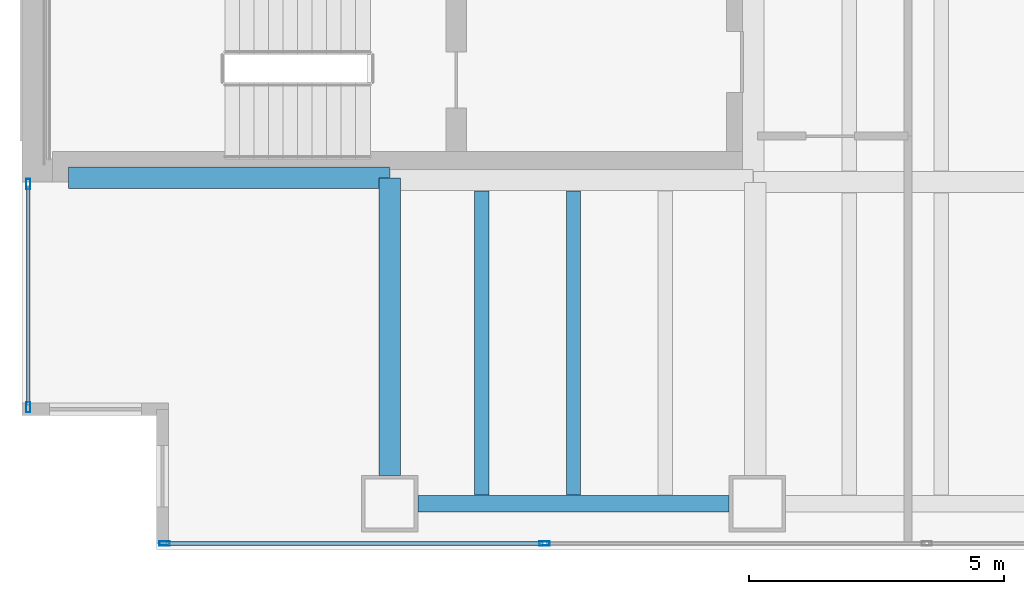
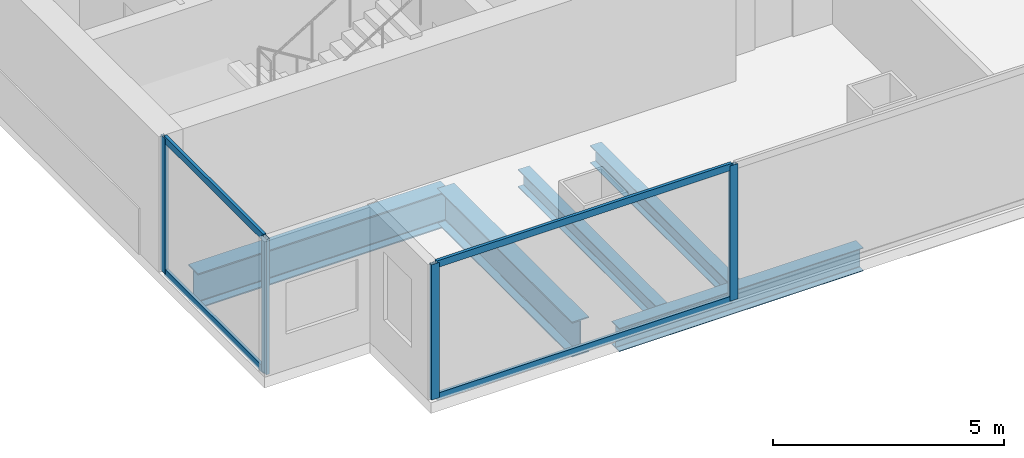
# One storey, part 2 of 25: 8 members, 5 beams, 2 elements without a shape of their own.
"""IFC4 building model written with IfcOpenShell, lengths in metres."""

from ifc_helpers import new_model, si_unit, direction, frame, origin, origin_2d, place, context, subcontext, project, spatial, hollow_rectangle, i_section, extrude, material, material_profile, profile_set, type_object, element, aggregate, save


model = new_model("IFC4")

# Units and contexts
model_context = context("Model", 3, precision=1e-05, world=origin(), true_north=direction((0.0, 1.0)))
body_context = subcontext(model_context, "Body", "Model", "MODEL_VIEW")
ifc_project = project(units=[si_unit("LENGTHUNIT", "METRE"), si_unit("AREAUNIT", "SQUARE_METRE"), si_unit("VOLUMEUNIT", "CUBIC_METRE"), si_unit("PLANEANGLEUNIT", "RADIAN"), si_unit("MASSUNIT", "GRAM", prefix="KILO")], contexts=[model_context])

# Site, building, storey
site_placement = place(None, origin())
site = spatial("IfcSite", under=ifc_project, at=site_placement, CompositionType="ELEMENT")
building_placement = place(site_placement, origin())
building = spatial("IfcBuilding", under=site, at=building_placement, Name="Cobrela Telecom Tower", CompositionType="ELEMENT")
storey_placement = place(building_placement, frame((0.0, 0.0, 42.699951171875)))
storey = spatial("IfcBuildingStorey", under=building, at=storey_placement, Name="L10", CompositionType="ELEMENT", Elevation=42.699951171875)

# Beams
ifc_material_1 = material(Name="Steel ASTM A992 Grade 50", Category="steel")
ifc_material_profile_1 = material_profile(ifc_material_1, i_section(OverallWidth=0.4189453125, OverallDepth=0.927001953125, WebThickness=0.019287109375, FlangeThickness=0.031982421875, FilletRadius=0.02392578125, at=origin_2d()), Name="W36X231")
ifc_profile_set_1 = profile_set([ifc_material_profile_1], Name="Steel ASTM A992 Grade 50")
beam_type_1 = type_object("IfcBeamType", Name="BM-GIRD-02", PredefinedType="USERDEFINED", material=ifc_profile_set_1)
beam_1_placement = place(storey_placement, frame((0.905029296875, 7.280029296875, -0.743408203125), z_axis=(1.0, 0.0, 0.0), x_axis=(0.0, 1.0, 0.0)))
element("IfcBeam", 1, at=beam_1_placement, inside=storey, type_object=beam_type_1, Name="L10 Primary Girder X06", ObjectType="GIRDER", PredefinedType="USERDEFINED", context=body_context, shape_type="SweptSolid", body=[
    extrude(i_section(OverallWidth=0.4189453125, OverallDepth=0.927001953125, WebThickness=0.019287109375, FlangeThickness=0.031982421875, FilletRadius=0.02392578125, at=origin_2d()), origin(), (0.0, 0.0, 1.0), 6.2900390625),
])
beam_2_placement = place(storey_placement, frame((7.199951171875, 1.455078125, -0.743408203125), z_axis=(0.0, 1.0, 0.0), x_axis=(-1.0, 0.0, 0.0)))
element("IfcBeam", 2, at=beam_2_placement, inside=storey, type_object=beam_type_1, Name="L10 Primary Girder Y32", ObjectType="GIRDER", PredefinedType="USERDEFINED", context=body_context, shape_type="SweptSolid", body=[
    extrude(i_section(OverallWidth=0.4189453125, OverallDepth=0.927001953125, WebThickness=0.019287109375, FlangeThickness=0.031982421875, FilletRadius=0.02392578125, at=origin_2d()), origin(), (0.0, 0.0, 1.0), 5.81982421875),
])
ifc_material_profile_2 = material_profile(ifc_material_1, i_section(OverallWidth=0.281982421875, OverallDepth=0.467041015625, WebThickness=0.01220703125, FlangeThickness=0.01953125, FilletRadius=0.012939453125, at=origin_2d()), Name="W18X86")
ifc_profile_set_2 = profile_set([ifc_material_profile_2], Name="Steel ASTM A992 Grade 50")
beam_type_2 = type_object("IfcBeamType", Name="BM-JOIST-02", PredefinedType="JOIST", material=ifc_profile_set_2)
for number, where, z_axis, x_axis, name in (
    (3, (9.0, 1.0673828125, -0.513427734375), (0.0, 1.0, 0.0), (-1.0, 0.0, 0.0), "L10 Secondary Composite Floor Beam J01"),
    (4, (10.800048828125, 1.0673828125, -0.513427734375), (0.0, 1.0, 0.0), (-1.0, 0.0, 0.0), "L10 Secondary Composite Floor Beam J03"),
):
    element("IfcBeam", number, at=place(storey_placement, frame(where, z_axis=z_axis, x_axis=x_axis)), inside=storey, type_object=beam_type_2, Name=name, PredefinedType="JOIST", context=body_context, shape_type="SweptSolid", body=[
        extrude(i_section(OverallWidth=0.281982421875, OverallDepth=0.467041015625, WebThickness=0.01220703125, FlangeThickness=0.01953125, FilletRadius=0.012939453125, at=origin_2d()), origin(), (0.0, 0.0, 1.0), 5.9580078125),
    ])
ifc_material_profile_3 = material_profile(ifc_material_1, i_section(OverallWidth=0.324951171875, OverallDepth=0.612060546875, WebThickness=0.0126953125, FlangeThickness=0.01904296875, FilletRadius=0.014892578125, at=origin_2d()), Name="W24X104")
ifc_profile_set_3 = profile_set([ifc_material_profile_3], Name="Steel ASTM A992 Grade 50")
beam_type_3 = type_object("IfcBeamType", Name="BM-SPAND-02", PredefinedType="SPANDREL", material=ifc_profile_set_3)
beam_3_placement = place(storey_placement, frame((7.7548828125, 0.89990234375, -0.5859375), z_axis=(1.0, 0.0, 0.0), x_axis=(0.0, 1.0, 0.0)))
element("IfcBeam", 5, at=beam_3_placement, inside=storey, type_object=beam_type_3, Name="L10 Perimeter Spandrel X01", PredefinedType="SPANDREL", context=body_context, shape_type="SweptSolid", body=[
    extrude(i_section(OverallWidth=0.324951171875, OverallDepth=0.612060546875, WebThickness=0.0126953125, FlangeThickness=0.01904296875, FilletRadius=0.014892578125, at=origin_2d()), origin(), (0.0, 0.0, 1.0), 6.090087890625),
])

# Curtain wall, members
ifc_material_2 = material(Name="Anodized Bronze Aluminium 6063-T6", Category="aluminium")
curtain_wall_type = type_object("IfcCurtainWallType", Name="CW-SYS-DATA", PredefinedType="USERDEFINED", material=ifc_material_2)
curtain_wall_1_placement = place(storey_placement, origin())
curtain_wall_1 = element("IfcCurtainWall", 6, at=curtain_wall_1_placement, inside=storey, type_object=curtain_wall_type, Name="L10 Unitised Bronze Curtain Wall 03", ObjectType="UNITISED CURTAIN WALL", PredefinedType="USERDEFINED")
ifc_material_profile_4 = material_profile(ifc_material_2, hollow_rectangle(XDim=0.080078125, YDim=0.199951171875, WallThickness=0.00390625, at=origin_2d()), Name="ALU 80x200x4")
ifc_profile_set_4 = profile_set([ifc_material_profile_4], Name="Anodized Bronze Aluminium 6063-T6")
member_type_1 = type_object("IfcMemberType", Name="CW-SYS-DATA-MUL", PredefinedType="MULLION", material=ifc_profile_set_4)
member_1_placement = place(storey_placement, frame((0.1201171875, 2.7900390625, 0.0), z_axis=(0.0, 0.0, 1.0), x_axis=(-1.0, 0.0, 0.0)))
member_1 = element("IfcMember", 7, at=member_1_placement, type_object=member_type_1, Name="CW-DATA mullion 1", PredefinedType="MULLION", context=body_context, shape_type="SweptSolid", body=[
    extrude(hollow_rectangle(XDim=0.080078125, YDim=0.199951171875, WallThickness=0.00390625, at=origin_2d()), origin(), (0.0, 0.0, 1.0), 3.570068359375),
])
member_2_placement = place(storey_placement, frame((0.1201171875, 7.159912109375, 0.0), z_axis=(0.0, 0.0, 1.0), x_axis=(-1.0, 0.0, 0.0)))
member_2 = element("IfcMember", 8, at=member_2_placement, type_object=member_type_1, Name="CW-DATA mullion 2", PredefinedType="MULLION", context=body_context, shape_type="SweptSolid", body=[
    extrude(hollow_rectangle(XDim=0.080078125, YDim=0.199951171875, WallThickness=0.00390625, at=origin_2d()), origin(), (0.0, 0.0, 1.0), 3.570068359375),
])

curtain_wall_2_placement = place(storey_placement, origin())
curtain_wall_2 = element("IfcCurtainWall", 9, at=curtain_wall_2_placement, inside=storey, type_object=curtain_wall_type, Name="L10 Unitised Bronze Curtain Wall 17", ObjectType="UNITISED CURTAIN WALL", PredefinedType="USERDEFINED")
member_3_placement = place(storey_placement, frame((10.2333984375, 0.1201171875, 0.0), z_axis=(0.0, 0.0, 1.0), x_axis=(0.0, -1.0, 0.0)))
member_3 = element("IfcMember", 10, at=member_3_placement, type_object=member_type_1, Name="CW-DATA mullion 6", PredefinedType="MULLION", context=body_context, shape_type="SweptSolid", body=[
    extrude(hollow_rectangle(XDim=0.080078125, YDim=0.199951171875, WallThickness=0.00390625, at=origin_2d()), origin(), (0.0, 0.0, 1.0), 3.570068359375),
])
member_4_placement = place(storey_placement, frame((2.7900390625, 0.1201171875, 0.0), z_axis=(0.0, 0.0, 1.0), x_axis=(0.0, -1.0, 0.0)))
member_4 = element("IfcMember", 11, at=member_4_placement, type_object=member_type_1, Name="CW-DATA mullion 7", PredefinedType="MULLION", context=body_context, shape_type="SweptSolid", body=[
    extrude(hollow_rectangle(XDim=0.080078125, YDim=0.199951171875, WallThickness=0.00390625, at=origin_2d()), origin(), (0.0, 0.0, 1.0), 3.570068359375),
])

# Member
ifc_material_profile_5 = material_profile(ifc_material_2, hollow_rectangle(XDim=0.074951171875, YDim=0.179931640625, WallThickness=0.00390625, at=origin_2d()), Name="ALU 75x180x4")
ifc_profile_set_5 = profile_set([ifc_material_profile_5], Name="Anodized Bronze Aluminium 6063-T6")
member_type_2 = type_object("IfcMemberType", Name="CW-SYS-DATA-TRN", PredefinedType="USERDEFINED", material=ifc_profile_set_5)
member_5_placement = place(storey_placement, frame((0.1201171875, 2.830078125, 0.03759765625), z_axis=(0.0, 1.0, 0.0), x_axis=(-1.0, 0.0, 0.0)))
member_5 = element("IfcMember", 12, at=member_5_placement, type_object=member_type_2, Name="CW-DATA transom 1.1", ObjectType="TRANSOM", PredefinedType="USERDEFINED", context=body_context, shape_type="SweptSolid", body=[
    extrude(hollow_rectangle(XDim=0.074951171875, YDim=0.179931640625, WallThickness=0.00390625, at=origin_2d()), origin(), (0.0, 0.0, 1.0), 4.2900390625),
])

member_6_placement = place(storey_placement, frame((0.1201171875, 2.830078125, 3.532470703125), z_axis=(0.0, 1.0, 0.0), x_axis=(-1.0, 0.0, 0.0)))
member_6 = element("IfcMember", 13, at=member_6_placement, type_object=member_type_2, Name="CW-DATA transom 1.2", ObjectType="TRANSOM", PredefinedType="USERDEFINED", context=body_context, shape_type="SweptSolid", body=[
    extrude(hollow_rectangle(XDim=0.074951171875, YDim=0.179931640625, WallThickness=0.00390625, at=origin_2d()), origin(), (0.0, 0.0, 1.0), 4.2900390625),
])

aggregate(curtain_wall_1, [member_1, member_2, member_5, member_6])

member_7_placement = place(storey_placement, frame((10.193359375, 0.1201171875, 0.03759765625), z_axis=(-1.0, 0.0, 0.0), x_axis=(0.0, -1.0, 0.0)))
member_7 = element("IfcMember", 14, at=member_7_placement, type_object=member_type_2, Name="CW-DATA transom 6.1", ObjectType="TRANSOM", PredefinedType="USERDEFINED", context=body_context, shape_type="SweptSolid", body=[
    extrude(hollow_rectangle(XDim=0.074951171875, YDim=0.179931640625, WallThickness=0.00390625, at=origin_2d()), origin(), (0.0, 0.0, 1.0), 7.36328125),
])

member_8_placement = place(storey_placement, frame((10.193359375, 0.1201171875, 3.532470703125), z_axis=(-1.0, 0.0, 0.0), x_axis=(0.0, -1.0, 0.0)))
member_8 = element("IfcMember", 15, at=member_8_placement, type_object=member_type_2, Name="CW-DATA transom 6.2", ObjectType="TRANSOM", PredefinedType="USERDEFINED", context=body_context, shape_type="SweptSolid", body=[
    extrude(hollow_rectangle(XDim=0.074951171875, YDim=0.179931640625, WallThickness=0.00390625, at=origin_2d()), origin(), (0.0, 0.0, 1.0), 7.36328125),
])

aggregate(curtain_wall_2, [member_3, member_4, member_7, member_8])

save(model, "model.ifc")
